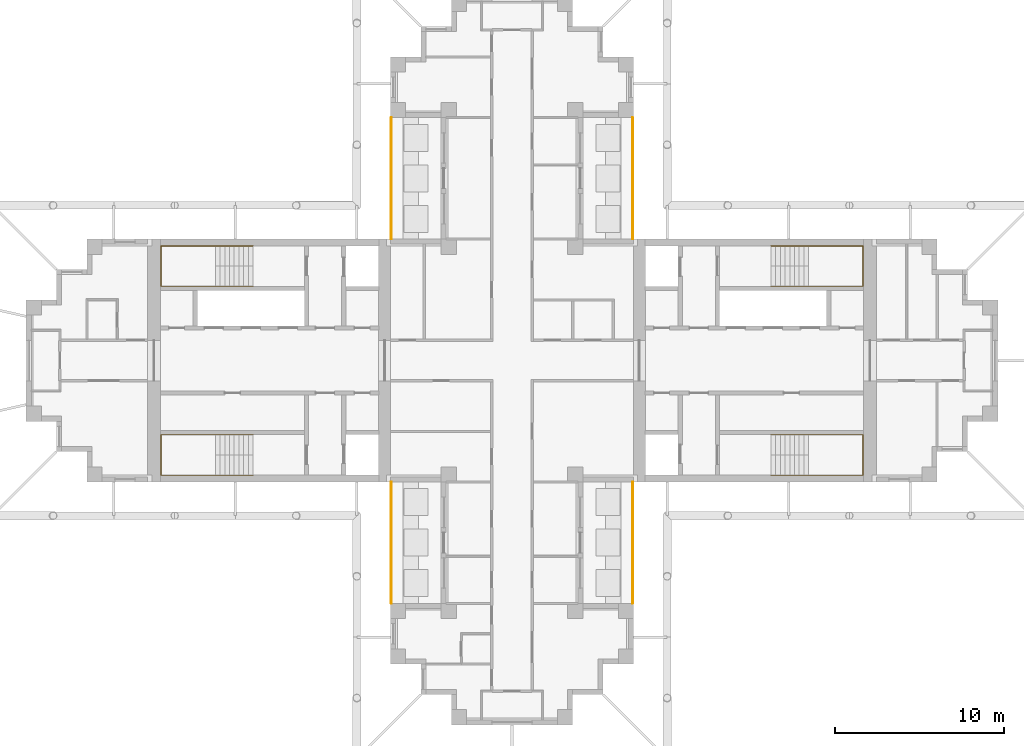
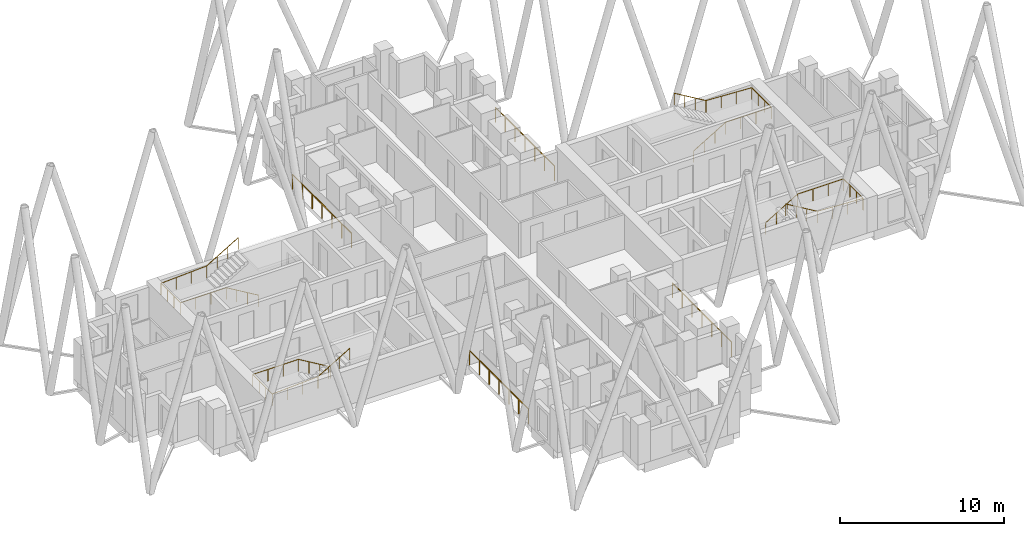
# One storey, part 10 of 11: 8 railings.
"""IFC4 building model written with IfcOpenShell, lengths in metres."""

from ifc_helpers import new_model, si_unit, direction, frame, origin, origin_2d, place, context, subcontext, project, spatial, circle, extrude, material, type_object, element, save


model = new_model("IFC4")

# Units and contexts
model_context = context("Model", 3, precision=1e-05, world=origin(), true_north=direction((0.0, 1.0)))
body_context = subcontext(model_context, "Body", "Model", "MODEL_VIEW")
ifc_project = project(units=[si_unit("LENGTHUNIT", "METRE"), si_unit("AREAUNIT", "SQUARE_METRE"), si_unit("VOLUMEUNIT", "CUBIC_METRE"), si_unit("PLANEANGLEUNIT", "RADIAN"), si_unit("MASSUNIT", "GRAM", prefix="KILO")], contexts=[model_context])

# Site, building, storey
site_placement = place(None, origin())
site = spatial("IfcSite", under=ifc_project, at=site_placement, CompositionType="ELEMENT")
building_placement = place(site_placement, origin())
building = spatial("IfcBuilding", under=site, at=building_placement, Name="Fustian Cross Tower", CompositionType="ELEMENT")
storey_placement = place(building_placement, frame((0.0, 0.0, 222.89990234375)))
storey = spatial("IfcBuildingStorey", under=building, at=storey_placement, Name="L70", CompositionType="ELEMENT", Elevation=222.89990234375)

# Railings
ifc_material_1 = material(Name="Stainless steel and glass", Category="steel")
railing_type_1 = type_object("IfcRailingType", Name="GR1 BALCONY GUARD 1100", PredefinedType="GUARDRAIL", material=ifc_material_1)
for number, where, name in (
    (1, (7.14990234375, 7.199951171875, 0.0), "Balcony guard"),
    (2, (-7.14990234375, 7.199951171875, 0.0), "Balcony guard"),
    (3, (7.14990234375, -14.39990234375, 0.0), "Balcony guard"),
    (4, (-7.14990234375, -14.39990234375, 0.0), "Balcony guard"),
):
    element("IfcRailing", number, at=place(storey_placement, frame(where)), inside=storey, type_object=railing_type_1, Name=name, PredefinedType="GUARDRAIL", context=body_context, shape_type="SweptSolid", body=[
        extrude(circle(Radius=0.02392578125, at=origin_2d()), frame((0.0, 0.0, 1.076171875), z_axis=(0.0, 1.0, 0.0), x_axis=(-1.0, 0.0, 0.0)), (0.0, 0.0, 1.0), 7.199951171875),
        extrude(circle(Radius=0.02099609375, at=origin_2d()), origin(), (0.0, 0.0, 1.0), 1.052001953125),
        extrude(circle(Radius=0.02099609375, at=origin_2d()), frame((0.0, 1.199951171875, 0.0)), (0.0, 0.0, 1.0), 1.052001953125),
        extrude(circle(Radius=0.02099609375, at=origin_2d()), frame((0.0, 2.39990234375, 0.0)), (0.0, 0.0, 1.0), 1.052001953125),
        extrude(circle(Radius=0.02099609375, at=origin_2d()), frame((0.0, 3.60009765625, 0.0)), (0.0, 0.0, 1.0), 1.052001953125),
        extrude(circle(Radius=0.02099609375, at=origin_2d()), frame((0.0, 4.800048828125, 0.0)), (0.0, 0.0, 1.0), 1.052001953125),
        extrude(circle(Radius=0.02099609375, at=origin_2d()), frame((0.0, 6.0, 0.0)), (0.0, 0.0, 1.0), 1.052001953125),
        extrude(circle(Radius=0.02099609375, at=origin_2d()), frame((0.0, 7.199951171875, 0.0)), (0.0, 0.0, 1.0), 1.052001953125),
    ])
ifc_material_2 = material(Name="Stainless steel", Category="steel")
railing_type_2 = type_object("IfcRailingType", Name="STAIR HANDRAIL", PredefinedType="HANDRAIL", material=ifc_material_2)
railing_1_placement = place(storey_placement, frame((15.35009765625, 4.39990234375, 0.166748046875)))
element("IfcRailing", 5, at=railing_1_placement, inside=storey, type_object=railing_type_2, Name="Stair ST1 handrail 1", PredefinedType="HANDRAIL", context=body_context, shape_type="SweptSolid", body=[
    extrude(circle(Radius=0.02490234375, at=origin_2d()), frame((0.0, 0.0, 0.875), z_axis=(0.859305625298, 0.0, 0.511462454469), x_axis=(0.0, 1.0, 0.0)), (0.0, 0.0, 1.0), 2.606689453125),
    extrude(circle(Radius=0.02490234375, at=origin_2d()), frame((2.239990234375, 0.0, 2.2080078125), z_axis=(1.0, 0.0, 0.0), x_axis=(0.0, 1.0, 0.0)), (0.0, 0.0, 1.0), 3.219970703125),
    extrude(circle(Radius=0.02490234375, at=origin_2d()), frame((5.4599609375, 0.0, 2.2080078125), z_axis=(0.0, 1.0, 0.0), x_axis=(-1.0, 0.0, 0.0)), (0.0, 0.0, 1.0), 2.400146484375),
    extrude(circle(Radius=0.02490234375, at=origin_2d()), frame((5.4599609375, 2.400146484375, 2.2080078125), z_axis=(-0.998661817807, 0.0, 0.051716280352), x_axis=(0.0, -1.0, 0.0)), (0.0, 0.0, 1.0), 3.224365234375),
    extrude(circle(Radius=0.02490234375, at=origin_2d()), frame((2.239990234375, 2.400146484375, 2.375), z_axis=(-0.859305625298, 0.0, 0.511462454469), x_axis=(0.0, -1.0, 0.0)), (0.0, 0.0, 1.0), 2.606689453125),
    extrude(circle(Radius=0.02001953125, at=origin_2d()), origin(), (0.0, 0.0, 1.0), 0.849853515625),
    extrude(circle(Radius=0.02001953125, at=origin_2d()), frame((0.74658203125, 0.0, 0.4443359375)), (0.0, 0.0, 1.0), 0.849853515625),
    extrude(circle(Radius=0.02001953125, at=origin_2d()), frame((1.493408203125, 0.0, 0.888916015625)), (0.0, 0.0, 1.0), 0.849853515625),
    extrude(circle(Radius=0.02001953125, at=origin_2d()), frame((2.239990234375, 0.0, 1.333251953125)), (0.0, 0.0, 1.0), 0.849853515625),
    extrude(circle(Radius=0.02001953125, at=origin_2d()), frame((3.313232421875, 0.0, 1.333251953125)), (0.0, 0.0, 1.0), 0.849853515625),
    extrude(circle(Radius=0.02001953125, at=origin_2d()), frame((4.38671875, 0.0, 1.333251953125)), (0.0, 0.0, 1.0), 0.849853515625),
    extrude(circle(Radius=0.02001953125, at=origin_2d()), frame((5.4599609375, 0.0, 1.333251953125)), (0.0, 0.0, 1.0), 0.849853515625),
    extrude(circle(Radius=0.02001953125, at=origin_2d()), frame((5.4599609375, 0.800048828125, 1.333251953125)), (0.0, 0.0, 1.0), 0.849853515625),
    extrude(circle(Radius=0.02001953125, at=origin_2d()), frame((5.4599609375, 1.60009765625, 1.333251953125)), (0.0, 0.0, 1.0), 0.849853515625),
    extrude(circle(Radius=0.02001953125, at=origin_2d()), frame((5.4599609375, 2.400146484375, 1.333251953125)), (0.0, 0.0, 1.0), 0.849853515625),
    extrude(circle(Radius=0.02001953125, at=origin_2d()), frame((4.38671875, 2.400146484375, 1.388916015625)), (0.0, 0.0, 1.0), 0.849853515625),
    extrude(circle(Radius=0.02001953125, at=origin_2d()), frame((3.313232421875, 2.400146484375, 1.4443359375)), (0.0, 0.0, 1.0), 0.849853515625),
    extrude(circle(Radius=0.02001953125, at=origin_2d()), frame((2.239990234375, 2.400146484375, 1.5)), (0.0, 0.0, 1.0), 0.849853515625),
    extrude(circle(Radius=0.02001953125, at=origin_2d()), frame((1.493408203125, 2.400146484375, 1.9443359375)), (0.0, 0.0, 1.0), 0.849853515625),
    extrude(circle(Radius=0.02001953125, at=origin_2d()), frame((0.74658203125, 2.400146484375, 2.388916015625)), (0.0, 0.0, 1.0), 0.849853515625),
    extrude(circle(Radius=0.02001953125, at=origin_2d()), frame((0.0, 2.400146484375, 2.833251953125)), (0.0, 0.0, 1.0), 0.849853515625),
])
railing_2_placement = place(storey_placement, frame((15.35009765625, -4.39990234375, 0.166748046875)))
element("IfcRailing", 6, at=railing_2_placement, inside=storey, type_object=railing_type_2, Name="Stair ST2 handrail 1", PredefinedType="HANDRAIL", context=body_context, shape_type="SweptSolid", body=[
    extrude(circle(Radius=0.02490234375, at=origin_2d()), frame((0.0, 0.0, 0.875), z_axis=(0.859305625298, 0.0, 0.511462454469), x_axis=(0.0, 1.0, 0.0)), (0.0, 0.0, 1.0), 2.606689453125),
    extrude(circle(Radius=0.02490234375, at=origin_2d()), frame((2.239990234375, 0.0, 2.2080078125), z_axis=(1.0, 0.0, 0.0), x_axis=(0.0, 1.0, 0.0)), (0.0, 0.0, 1.0), 3.219970703125),
    extrude(circle(Radius=0.02490234375, at=origin_2d()), frame((5.4599609375, 0.0, 2.2080078125), z_axis=(0.0, -1.0, 0.0), x_axis=(1.0, 0.0, 0.0)), (0.0, 0.0, 1.0), 2.400146484375),
    extrude(circle(Radius=0.02490234375, at=origin_2d()), frame((5.4599609375, -2.400146484375, 2.2080078125), z_axis=(-0.998661817807, 0.0, 0.051716280352), x_axis=(0.0, -1.0, 0.0)), (0.0, 0.0, 1.0), 3.224365234375),
    extrude(circle(Radius=0.02490234375, at=origin_2d()), frame((2.239990234375, -2.400146484375, 2.375), z_axis=(-0.859305625298, 0.0, 0.511462454469), x_axis=(0.0, -1.0, 0.0)), (0.0, 0.0, 1.0), 2.606689453125),
    extrude(circle(Radius=0.02001953125, at=origin_2d()), origin(), (0.0, 0.0, 1.0), 0.849853515625),
    extrude(circle(Radius=0.02001953125, at=origin_2d()), frame((0.74658203125, 0.0, 0.4443359375)), (0.0, 0.0, 1.0), 0.849853515625),
    extrude(circle(Radius=0.02001953125, at=origin_2d()), frame((1.493408203125, 0.0, 0.888916015625)), (0.0, 0.0, 1.0), 0.849853515625),
    extrude(circle(Radius=0.02001953125, at=origin_2d()), frame((2.239990234375, 0.0, 1.333251953125)), (0.0, 0.0, 1.0), 0.849853515625),
    extrude(circle(Radius=0.02001953125, at=origin_2d()), frame((3.313232421875, 0.0, 1.333251953125)), (0.0, 0.0, 1.0), 0.849853515625),
    extrude(circle(Radius=0.02001953125, at=origin_2d()), frame((4.38671875, 0.0, 1.333251953125)), (0.0, 0.0, 1.0), 0.849853515625),
    extrude(circle(Radius=0.02001953125, at=origin_2d()), frame((5.4599609375, 0.0, 1.333251953125)), (0.0, 0.0, 1.0), 0.849853515625),
    extrude(circle(Radius=0.02001953125, at=origin_2d()), frame((5.4599609375, -0.800048828125, 1.333251953125)), (0.0, 0.0, 1.0), 0.849853515625),
    extrude(circle(Radius=0.02001953125, at=origin_2d()), frame((5.4599609375, -1.60009765625, 1.333251953125)), (0.0, 0.0, 1.0), 0.849853515625),
    extrude(circle(Radius=0.02001953125, at=origin_2d()), frame((5.4599609375, -2.400146484375, 1.333251953125)), (0.0, 0.0, 1.0), 0.849853515625),
    extrude(circle(Radius=0.02001953125, at=origin_2d()), frame((4.38671875, -2.400146484375, 1.388916015625)), (0.0, 0.0, 1.0), 0.849853515625),
    extrude(circle(Radius=0.02001953125, at=origin_2d()), frame((3.313232421875, -2.400146484375, 1.4443359375)), (0.0, 0.0, 1.0), 0.849853515625),
    extrude(circle(Radius=0.02001953125, at=origin_2d()), frame((2.239990234375, -2.400146484375, 1.5)), (0.0, 0.0, 1.0), 0.849853515625),
    extrude(circle(Radius=0.02001953125, at=origin_2d()), frame((1.493408203125, -2.400146484375, 1.9443359375)), (0.0, 0.0, 1.0), 0.849853515625),
    extrude(circle(Radius=0.02001953125, at=origin_2d()), frame((0.74658203125, -2.400146484375, 2.388916015625)), (0.0, 0.0, 1.0), 0.849853515625),
    extrude(circle(Radius=0.02001953125, at=origin_2d()), frame((0.0, -2.400146484375, 2.833251953125)), (0.0, 0.0, 1.0), 0.849853515625),
])
railing_3_placement = place(storey_placement, frame((-15.35009765625, 4.39990234375, 0.166748046875)))
element("IfcRailing", 7, at=railing_3_placement, inside=storey, type_object=railing_type_2, Name="Stair ST3 handrail 1", PredefinedType="HANDRAIL", context=body_context, shape_type="SweptSolid", body=[
    extrude(circle(Radius=0.02490234375, at=origin_2d()), frame((0.0, 0.0, 0.875), z_axis=(-0.859305625298, 0.0, 0.511462454469), x_axis=(0.0, -1.0, 0.0)), (0.0, 0.0, 1.0), 2.606689453125),
    extrude(circle(Radius=0.02490234375, at=origin_2d()), frame((-2.239990234375, 0.0, 2.2080078125), z_axis=(-1.0, 0.0, 0.0), x_axis=(0.0, -1.0, 0.0)), (0.0, 0.0, 1.0), 3.219970703125),
    extrude(circle(Radius=0.02490234375, at=origin_2d()), frame((-5.4599609375, 0.0, 2.2080078125), z_axis=(0.0, 1.0, 0.0), x_axis=(-1.0, 0.0, 0.0)), (0.0, 0.0, 1.0), 2.400146484375),
    extrude(circle(Radius=0.02490234375, at=origin_2d()), frame((-5.4599609375, 2.400146484375, 2.2080078125), z_axis=(0.998661817807, 0.0, 0.051716280352), x_axis=(0.0, 1.0, 0.0)), (0.0, 0.0, 1.0), 3.224365234375),
    extrude(circle(Radius=0.02490234375, at=origin_2d()), frame((-2.239990234375, 2.400146484375, 2.375), z_axis=(0.859305625298, 0.0, 0.511462454469), x_axis=(0.0, 1.0, 0.0)), (0.0, 0.0, 1.0), 2.606689453125),
    extrude(circle(Radius=0.02001953125, at=origin_2d()), origin(), (0.0, 0.0, 1.0), 0.849853515625),
    extrude(circle(Radius=0.02001953125, at=origin_2d()), frame((-0.74658203125, 0.0, 0.4443359375)), (0.0, 0.0, 1.0), 0.849853515625),
    extrude(circle(Radius=0.02001953125, at=origin_2d()), frame((-1.493408203125, 0.0, 0.888916015625)), (0.0, 0.0, 1.0), 0.849853515625),
    extrude(circle(Radius=0.02001953125, at=origin_2d()), frame((-2.239990234375, 0.0, 1.333251953125)), (0.0, 0.0, 1.0), 0.849853515625),
    extrude(circle(Radius=0.02001953125, at=origin_2d()), frame((-3.313232421875, 0.0, 1.333251953125)), (0.0, 0.0, 1.0), 0.849853515625),
    extrude(circle(Radius=0.02001953125, at=origin_2d()), frame((-4.38671875, 0.0, 1.333251953125)), (0.0, 0.0, 1.0), 0.849853515625),
    extrude(circle(Radius=0.02001953125, at=origin_2d()), frame((-5.4599609375, 0.0, 1.333251953125)), (0.0, 0.0, 1.0), 0.849853515625),
    extrude(circle(Radius=0.02001953125, at=origin_2d()), frame((-5.4599609375, 0.800048828125, 1.333251953125)), (0.0, 0.0, 1.0), 0.849853515625),
    extrude(circle(Radius=0.02001953125, at=origin_2d()), frame((-5.4599609375, 1.60009765625, 1.333251953125)), (0.0, 0.0, 1.0), 0.849853515625),
    extrude(circle(Radius=0.02001953125, at=origin_2d()), frame((-5.4599609375, 2.400146484375, 1.333251953125)), (0.0, 0.0, 1.0), 0.849853515625),
    extrude(circle(Radius=0.02001953125, at=origin_2d()), frame((-4.38671875, 2.400146484375, 1.388916015625)), (0.0, 0.0, 1.0), 0.849853515625),
    extrude(circle(Radius=0.02001953125, at=origin_2d()), frame((-3.313232421875, 2.400146484375, 1.4443359375)), (0.0, 0.0, 1.0), 0.849853515625),
    extrude(circle(Radius=0.02001953125, at=origin_2d()), frame((-2.239990234375, 2.400146484375, 1.5)), (0.0, 0.0, 1.0), 0.849853515625),
    extrude(circle(Radius=0.02001953125, at=origin_2d()), frame((-1.493408203125, 2.400146484375, 1.9443359375)), (0.0, 0.0, 1.0), 0.849853515625),
    extrude(circle(Radius=0.02001953125, at=origin_2d()), frame((-0.74658203125, 2.400146484375, 2.388916015625)), (0.0, 0.0, 1.0), 0.849853515625),
    extrude(circle(Radius=0.02001953125, at=origin_2d()), frame((0.0, 2.400146484375, 2.833251953125)), (0.0, 0.0, 1.0), 0.849853515625),
])
railing_4_placement = place(storey_placement, frame((-15.35009765625, -4.39990234375, 0.166748046875)))
element("IfcRailing", 8, at=railing_4_placement, inside=storey, type_object=railing_type_2, Name="Stair ST4 handrail 1", PredefinedType="HANDRAIL", context=body_context, shape_type="SweptSolid", body=[
    extrude(circle(Radius=0.02490234375, at=origin_2d()), frame((0.0, 0.0, 0.875), z_axis=(-0.859305625298, 0.0, 0.511462454469), x_axis=(0.0, -1.0, 0.0)), (0.0, 0.0, 1.0), 2.606689453125),
    extrude(circle(Radius=0.02490234375, at=origin_2d()), frame((-2.239990234375, 0.0, 2.2080078125), z_axis=(-1.0, 0.0, 0.0), x_axis=(0.0, -1.0, 0.0)), (0.0, 0.0, 1.0), 3.219970703125),
    extrude(circle(Radius=0.02490234375, at=origin_2d()), frame((-5.4599609375, 0.0, 2.2080078125), z_axis=(0.0, -1.0, 0.0), x_axis=(1.0, 0.0, 0.0)), (0.0, 0.0, 1.0), 2.400146484375),
    extrude(circle(Radius=0.02490234375, at=origin_2d()), frame((-5.4599609375, -2.400146484375, 2.2080078125), z_axis=(0.998661817807, 0.0, 0.051716280352), x_axis=(0.0, 1.0, 0.0)), (0.0, 0.0, 1.0), 3.224365234375),
    extrude(circle(Radius=0.02490234375, at=origin_2d()), frame((-2.239990234375, -2.400146484375, 2.375), z_axis=(0.859305625298, 0.0, 0.511462454469), x_axis=(0.0, 1.0, 0.0)), (0.0, 0.0, 1.0), 2.606689453125),
    extrude(circle(Radius=0.02001953125, at=origin_2d()), origin(), (0.0, 0.0, 1.0), 0.849853515625),
    extrude(circle(Radius=0.02001953125, at=origin_2d()), frame((-0.74658203125, 0.0, 0.4443359375)), (0.0, 0.0, 1.0), 0.849853515625),
    extrude(circle(Radius=0.02001953125, at=origin_2d()), frame((-1.493408203125, 0.0, 0.888916015625)), (0.0, 0.0, 1.0), 0.849853515625),
    extrude(circle(Radius=0.02001953125, at=origin_2d()), frame((-2.239990234375, 0.0, 1.333251953125)), (0.0, 0.0, 1.0), 0.849853515625),
    extrude(circle(Radius=0.02001953125, at=origin_2d()), frame((-3.313232421875, 0.0, 1.333251953125)), (0.0, 0.0, 1.0), 0.849853515625),
    extrude(circle(Radius=0.02001953125, at=origin_2d()), frame((-4.38671875, 0.0, 1.333251953125)), (0.0, 0.0, 1.0), 0.849853515625),
    extrude(circle(Radius=0.02001953125, at=origin_2d()), frame((-5.4599609375, 0.0, 1.333251953125)), (0.0, 0.0, 1.0), 0.849853515625),
    extrude(circle(Radius=0.02001953125, at=origin_2d()), frame((-5.4599609375, -0.800048828125, 1.333251953125)), (0.0, 0.0, 1.0), 0.849853515625),
    extrude(circle(Radius=0.02001953125, at=origin_2d()), frame((-5.4599609375, -1.60009765625, 1.333251953125)), (0.0, 0.0, 1.0), 0.849853515625),
    extrude(circle(Radius=0.02001953125, at=origin_2d()), frame((-5.4599609375, -2.400146484375, 1.333251953125)), (0.0, 0.0, 1.0), 0.849853515625),
    extrude(circle(Radius=0.02001953125, at=origin_2d()), frame((-4.38671875, -2.400146484375, 1.388916015625)), (0.0, 0.0, 1.0), 0.849853515625),
    extrude(circle(Radius=0.02001953125, at=origin_2d()), frame((-3.313232421875, -2.400146484375, 1.4443359375)), (0.0, 0.0, 1.0), 0.849853515625),
    extrude(circle(Radius=0.02001953125, at=origin_2d()), frame((-2.239990234375, -2.400146484375, 1.5)), (0.0, 0.0, 1.0), 0.849853515625),
    extrude(circle(Radius=0.02001953125, at=origin_2d()), frame((-1.493408203125, -2.400146484375, 1.9443359375)), (0.0, 0.0, 1.0), 0.849853515625),
    extrude(circle(Radius=0.02001953125, at=origin_2d()), frame((-0.74658203125, -2.400146484375, 2.388916015625)), (0.0, 0.0, 1.0), 0.849853515625),
    extrude(circle(Radius=0.02001953125, at=origin_2d()), frame((0.0, -2.400146484375, 2.833251953125)), (0.0, 0.0, 1.0), 0.849853515625),
])

save(model, "model.ifc")
